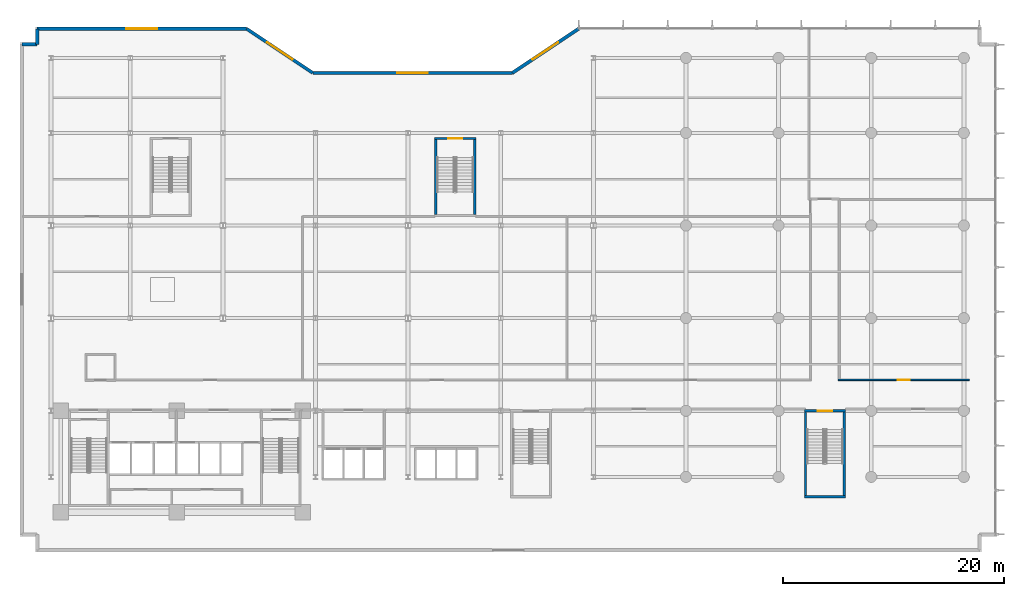
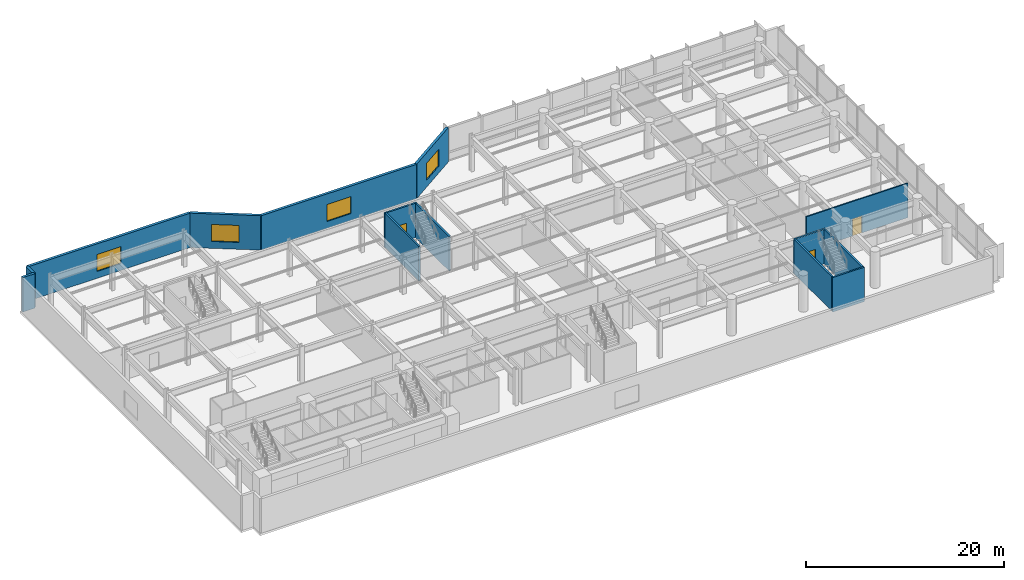
# One storey, part 17 of 26: 14 walls, 4 windows, 3 doors, 7 openings.
"""IFC4 building model written with IfcOpenShell, lengths in metres."""

from ifc_helpers import new_model, si_unit, direction, frame, frame_2d, origin, place, context, subcontext, project, spatial, rectangle, extrude, material, layer, layer_set, type_object, element, fill, save


model = new_model("IFC4")

# Units and contexts
model_context = context("Model", 3, precision=1e-05, world=origin(), true_north=direction((0.0, 1.0)))
body_context = subcontext(model_context, "Body", "Model", "MODEL_VIEW")
ifc_project = project(units=[si_unit("LENGTHUNIT", "METRE"), si_unit("AREAUNIT", "SQUARE_METRE"), si_unit("VOLUMEUNIT", "CUBIC_METRE"), si_unit("PLANEANGLEUNIT", "RADIAN"), si_unit("MASSUNIT", "GRAM", prefix="KILO")], contexts=[model_context])

# Site, building, storey
site_placement = place(None, origin())
site = spatial("IfcSite", under=ifc_project, at=site_placement, CompositionType="ELEMENT")
building_placement = place(site_placement, origin())
building = spatial("IfcBuilding", under=site, at=building_placement, Name="Varnakote Quay Hospital", CompositionType="ELEMENT")
storey_placement = place(building_placement, frame((0.0, 0.0, 13.5)))
storey = spatial("IfcBuildingStorey", under=building, at=storey_placement, Name="L03", CompositionType="ELEMENT", Elevation=13.5)

# Wall, opening, window
ifc_material_1 = material(Name="Precast concrete N50 (f'c 50 MPa)", Category="concrete")
ifc_layer_1 = layer(ifc_material_1, 0.300048828125)
ifc_layer_set_1 = layer_set([ifc_layer_1], Name="Precast concrete N50 (f'c 50 MPa)")
wall_type_1 = type_object("IfcWallType", Name="WL-EXT-BRICK-300", PredefinedType="STANDARD", material=ifc_layer_set_1)
wall_1_placement = place(storey_placement, frame((49.04833984375, 46.639892578125, 0.0), z_axis=(0.0, 0.0, 1.0), x_axis=(-0.832050294338, -0.554700196225, 0.0)))
wall_1 = element("IfcWall", 1, at=wall_1_placement, inside=storey, type_object=wall_type_1, Name="L03 Brick-Faced Precast Exterior Wall", PredefinedType="STANDARD", context=body_context, shape_type="SweptSolid", body=[
    extrude(rectangle(XDim=7.211181640625, YDim=0.300048828125, at=frame_2d((3.60546875, 0.0))), origin(), (0.0, 0.0, 1.0), 4.25),
])
opening_1_placement = place(wall_1_placement, frame((2.20556640625, 0.0, 0.85009765625)))
opening_1 = element("IfcOpeningElement", 2, at=opening_1_placement, cuts=wall_1, Name="Opening WN-0020", PredefinedType="OPENING", context=body_context, shape_type="SweptSolid", body=[
    extrude(rectangle(XDim=2.800048828125, YDim=2.10009765625, at=frame_2d((1.39990234375, 1.050048828125))), frame((0.0, 0.159912109375, 0.0), z_axis=(0.0, -1.0, 0.0), x_axis=(1.0, 0.0, 0.0)), (0.0, 0.0, 1.0), 0.320068359375),
])
ifc_material_2 = material(Name="Double-glazed acoustic laminated glass", Category="glass")
window_type = type_object("IfcWindowType", Name="WIN-POD-2800x2100", PartitioningType="SINGLE_PANEL", PredefinedType="WINDOW", material=ifc_material_2)
window_1_placement = place(opening_1_placement, origin())
window_1 = element("IfcWindow", 3, at=window_1_placement, inside=storey, type_object=window_type, Name="L03 Solar-Control Clinical Window", OverallHeight=2.10009765625, OverallWidth=2.800048828125, PartitioningType="SINGLE_PANEL", PredefinedType="WINDOW", context=body_context, shape_type="SweptSolid", body=[
    extrude(rectangle(XDim=2.800048828125, YDim=2.10009765625, at=frame_2d((1.39990234375, 1.050048828125))), frame((0.0, 0.030029296875, 0.0), z_axis=(0.0, -1.0, 0.0), x_axis=(1.0, 0.0, 0.0)), (0.0, 0.0, 1.0), 0.06005859375),
])
fill(opening_1, window_1)

wall_2_placement = place(storey_placement, frame((43.04833984375, 42.639892578125, 0.0), z_axis=(0.0, 0.0, 1.0), x_axis=(-1.0, 0.0, 0.0)))
wall_2 = element("IfcWall", 4, at=wall_2_placement, inside=storey, type_object=wall_type_1, Name="L03 Brick-Faced Precast Exterior Wall", PredefinedType="STANDARD", context=body_context, shape_type="SweptSolid", body=[
    extrude(rectangle(XDim=18.0966796875, YDim=0.300048828125, at=frame_2d((9.04833984375, 0.0))), origin(), (0.0, 0.0, 1.0), 4.25),
])
opening_2_placement = place(wall_2_placement, frame((7.6484375, 0.0, 0.85009765625)))
opening_2 = element("IfcOpeningElement", 5, at=opening_2_placement, cuts=wall_2, Name="Opening WN-0021", PredefinedType="OPENING", context=body_context, shape_type="SweptSolid", body=[
    extrude(rectangle(XDim=2.800048828125, YDim=2.10009765625, at=frame_2d((1.39990234375, 1.050048828125))), frame((0.0, 0.159912109375, 0.0), z_axis=(0.0, -1.0, 0.0), x_axis=(1.0, 0.0, 0.0)), (0.0, 0.0, 1.0), 0.320068359375),
])
window_2_placement = place(opening_2_placement, origin())
window_2 = element("IfcWindow", 6, at=window_2_placement, inside=storey, type_object=window_type, Name="L03 Solar-Control Clinical Window", OverallHeight=2.10009765625, OverallWidth=2.800048828125, PartitioningType="SINGLE_PANEL", PredefinedType="WINDOW", context=body_context, shape_type="SweptSolid", body=[
    extrude(rectangle(XDim=2.800048828125, YDim=2.10009765625, at=frame_2d((1.39990234375, 1.050048828125))), frame((0.0, 0.030029296875, 0.0), z_axis=(0.0, -1.0, 0.0), x_axis=(1.0, 0.0, 0.0)), (0.0, 0.0, 1.0), 0.06005859375),
])
fill(opening_2, window_2)

wall_3_placement = place(storey_placement, frame((24.95166015625, 42.639892578125, 0.0), z_axis=(0.0, 0.0, 1.0), x_axis=(-0.832050294338, 0.554700196225, 0.0)))
wall_3 = element("IfcWall", 7, at=wall_3_placement, inside=storey, type_object=wall_type_1, Name="L03 Brick-Faced Precast Exterior Wall", PredefinedType="STANDARD", context=body_context, shape_type="SweptSolid", body=[
    extrude(rectangle(XDim=7.211181640625, YDim=0.300048828125, at=frame_2d((3.60546875, 0.0))), origin(), (0.0, 0.0, 1.0), 4.25),
])
opening_3_placement = place(wall_3_placement, frame((2.20556640625, 0.0, 0.85009765625)))
opening_3 = element("IfcOpeningElement", 8, at=opening_3_placement, cuts=wall_3, Name="Opening WN-0022", PredefinedType="OPENING", context=body_context, shape_type="SweptSolid", body=[
    extrude(rectangle(XDim=2.800048828125, YDim=2.10009765625, at=frame_2d((1.39990234375, 1.050048828125))), frame((0.0, 0.159912109375, 0.0), z_axis=(0.0, -1.0, 0.0), x_axis=(1.0, 0.0, 0.0)), (0.0, 0.0, 1.0), 0.320068359375),
])
window_3_placement = place(opening_3_placement, origin())
window_3 = element("IfcWindow", 9, at=window_3_placement, inside=storey, type_object=window_type, Name="L03 Solar-Control Clinical Window", OverallHeight=2.10009765625, OverallWidth=2.800048828125, PartitioningType="SINGLE_PANEL", PredefinedType="WINDOW", context=body_context, shape_type="SweptSolid", body=[
    extrude(rectangle(XDim=2.800048828125, YDim=2.10009765625, at=frame_2d((1.39990234375, 1.050048828125))), frame((0.0, 0.030029296875, 0.0), z_axis=(0.0, -1.0, 0.0), x_axis=(1.0, 0.0, 0.0)), (0.0, 0.0, 1.0), 0.06005859375),
])
fill(opening_3, window_3)

wall_4_placement = place(storey_placement, frame((18.95166015625, 46.639892578125, 0.0), z_axis=(0.0, 0.0, 1.0), x_axis=(-1.0, 0.0, 0.0)))
wall_4 = element("IfcWall", 10, at=wall_4_placement, inside=storey, type_object=wall_type_1, Name="L03 Brick-Faced Precast Exterior Wall", PredefinedType="STANDARD", context=body_context, shape_type="SweptSolid", body=[
    extrude(rectangle(XDim=18.99169921875, YDim=0.300048828125, at=frame_2d((9.495849609375, 0.0))), origin(), (0.0, 0.0, 1.0), 4.25),
])
opening_4_placement = place(wall_4_placement, frame((8.095703125, 0.0, 0.85009765625)))
opening_4 = element("IfcOpeningElement", 11, at=opening_4_placement, cuts=wall_4, Name="Opening WN-0023", PredefinedType="OPENING", context=body_context, shape_type="SweptSolid", body=[
    extrude(rectangle(XDim=2.800048828125, YDim=2.10009765625, at=frame_2d((1.39990234375, 1.050048828125))), frame((0.0, 0.159912109375, 0.0), z_axis=(0.0, -1.0, 0.0), x_axis=(1.0, 0.0, 0.0)), (0.0, 0.0, 1.0), 0.320068359375),
])
window_4_placement = place(opening_4_placement, origin())
window_4 = element("IfcWindow", 12, at=window_4_placement, inside=storey, type_object=window_type, Name="L03 Solar-Control Clinical Window", OverallHeight=2.10009765625, OverallWidth=2.800048828125, PartitioningType="SINGLE_PANEL", PredefinedType="WINDOW", context=body_context, shape_type="SweptSolid", body=[
    extrude(rectangle(XDim=2.800048828125, YDim=2.10009765625, at=frame_2d((1.39990234375, 1.050048828125))), frame((0.0, 0.030029296875, 0.0), z_axis=(0.0, -1.0, 0.0), x_axis=(1.0, 0.0, 0.0)), (0.0, 0.0, 1.0), 0.06005859375),
])
fill(opening_4, window_4)

# Walls
for number, where, z_axis, x_axis, name in (
    (13, (-0.0400390625, 46.639892578125, 0.0), (0.0, 0.0, 1.0), (0.0, -1.0, 0.0), "L03 Brick-Faced Precast Exterior Wall"),
    (14, (-0.0400390625, 45.239990234375, 0.0), (0.0, 0.0, 1.0), (-1.0, 0.0, 0.0), "L03 Brick-Faced Precast Exterior Wall"),
):
    element("IfcWall", number, at=place(storey_placement, frame(where, z_axis=z_axis, x_axis=x_axis)), inside=storey, type_object=wall_type_1, Name=name, PredefinedType="STANDARD", context=body_context, shape_type="SweptSolid", body=[
        extrude(rectangle(XDim=1.39990234375, YDim=0.300048828125, at=frame_2d((0.699951171875, 0.0))), origin(), (0.0, 0.0, 1.0), 4.25),
    ])
ifc_material_3 = material(Name="Concrete N50 (f'c 50 MPa)", Category="concrete")
ifc_layer_2 = layer(ifc_material_3, 0.199951171875)
ifc_layer_set_2 = layer_set([ifc_layer_2], Name="Concrete N50 (f'c 50 MPa)")
wall_type_2 = type_object("IfcWallType", Name="WL-SHAFT-N50-200", PredefinedType="SHEAR", material=ifc_layer_set_2)
wall_5_placement = place(storey_placement, frame((69.550048828125, 4.199951171875, 0.0), z_axis=(0.0, 0.0, 1.0), x_axis=(1.0, 0.0, 0.0)))
element("IfcWall", 15, at=wall_5_placement, inside=storey, type_object=wall_type_2, Name="L03 Stair ST6 South Shaft Wall", PredefinedType="SHEAR", context=body_context, shape_type="SweptSolid", body=[
    extrude(rectangle(XDim=3.699951171875, YDim=0.199951171875, at=frame_2d((1.85009765625, 0.0))), origin(), (0.0, 0.0, 1.0), 4.25),
])
for number, where, z_axis, x_axis, name in (
    (16, (69.64990234375, 4.300048828125, 0.0), (0.0, 0.0, 1.0), (0.0, 1.0, 0.0), "L03 Stair ST6 West Shaft Wall"),
    (17, (73.14990234375, 4.300048828125, 0.0), (0.0, 0.0, 1.0), (0.0, 1.0, 0.0), "L03 Stair ST6 East Shaft Wall"),
):
    element("IfcWall", number, at=place(storey_placement, frame(where, z_axis=z_axis, x_axis=x_axis)), inside=storey, type_object=wall_type_2, Name=name, PredefinedType="SHEAR", context=body_context, shape_type="SweptSolid", body=[
        extrude(rectangle(XDim=7.599853515625, YDim=0.199951171875, at=frame_2d((3.7998046875, 0.0))), origin(), (0.0, 0.0, 1.0), 4.25),
    ])

# Wall, opening, door
wall_6_placement = place(storey_placement, frame((69.550048828125, 12.0, 0.0), z_axis=(0.0, 0.0, 1.0), x_axis=(1.0, 0.0, 0.0)))
wall_6 = element("IfcWall", 18, at=wall_6_placement, inside=storey, type_object=wall_type_2, Name="L03 Stair ST6 Exit Wall", PredefinedType="SHEAR", context=body_context, shape_type="SweptSolid", body=[
    extrude(rectangle(XDim=3.699951171875, YDim=0.199951171875, at=frame_2d((1.85009765625, 0.0))), origin(), (0.0, 0.0, 1.0), 4.25),
])
opening_5_placement = place(wall_6_placement, frame((1.199951171875, 0.0, 0.0)))
opening_5 = element("IfcOpeningElement", 19, at=opening_5_placement, cuts=wall_6, Name="Opening D-ST6-L03", PredefinedType="OPENING", context=body_context, shape_type="SweptSolid", body=[
    extrude(rectangle(XDim=1.300048828125, YDim=2.14990234375, at=frame_2d((0.64990234375, 1.074951171875))), frame((0.0, 0.10986328125, 0.0), z_axis=(0.0, -1.0, 0.0), x_axis=(1.0, 0.0, 0.0)), (0.0, 0.0, 1.0), 0.219970703125),
])
ifc_material_4 = material(Name="Fire-rated ceramic-glazed timber exit door", Category="wood")
door_type_1 = type_object("IfcDoorType", Name="DR-STAIR-FD60S-1300x2150", OperationType="NOTDEFINED", PredefinedType="DOOR", material=ifc_material_4)
door_1_placement = place(opening_5_placement, origin())
door_1 = element("IfcDoor", 20, at=door_1_placement, inside=storey, type_object=door_type_1, Name="L03 Stair ST6 Fire Exit Door", OperationType="SINGLE_SWING_LEFT", OverallHeight=2.14990234375, OverallWidth=1.300048828125, PredefinedType="DOOR", context=body_context, shape_type="SweptSolid", body=[
    extrude(rectangle(XDim=1.300048828125, YDim=2.14990234375, at=frame_2d((0.64990234375, 1.074951171875))), frame((0.0, 0.02490234375, 0.0), z_axis=(0.0, -1.0, 0.0), x_axis=(1.0, 0.0, 0.0)), (0.0, 0.0, 1.0), 0.050048828125),
])
fill(opening_5, door_1)

# Walls
for number, where, z_axis, x_axis, name in (
    (21, (36.10009765625, 29.800048828125, 0.0), (0.0, 0.0, 1.0), (0.0, 1.0, 0.0), "L03 Stair ST5 West Shaft Wall"),
    (22, (39.639892578125, 29.800048828125, 0.0), (0.0, 0.0, 1.0), (0.0, 1.0, 0.0), "L03 Stair ST5 East Shaft Wall"),
):
    element("IfcWall", number, at=place(storey_placement, frame(where, z_axis=z_axis, x_axis=x_axis)), inside=storey, type_object=wall_type_2, Name=name, PredefinedType="SHEAR", context=body_context, shape_type="SweptSolid", body=[
        extrude(rectangle(XDim=6.800048828125, YDim=0.199951171875, at=frame_2d((3.39990234375, 0.0))), origin(), (0.0, 0.0, 1.0), 4.25),
    ])

# Wall, opening, door
wall_7_placement = place(storey_placement, frame((36.0, 36.699951171875, 0.0), z_axis=(0.0, 0.0, 1.0), x_axis=(1.0, 0.0, 0.0)))
wall_7 = element("IfcWall", 23, at=wall_7_placement, inside=storey, type_object=wall_type_2, Name="L03 Stair ST5 Exit Wall", PredefinedType="SHEAR", context=body_context, shape_type="SweptSolid", body=[
    extrude(rectangle(XDim=3.739990234375, YDim=0.199951171875, at=frame_2d((1.8701171875, 0.0))), origin(), (0.0, 0.0, 1.0), 4.25),
])
opening_6_placement = place(wall_7_placement, frame((1.219970703125, 0.0, 0.0)))
opening_6 = element("IfcOpeningElement", 24, at=opening_6_placement, cuts=wall_7, Name="Opening D-ST5-L03", PredefinedType="OPENING", context=body_context, shape_type="SweptSolid", body=[
    extrude(rectangle(XDim=1.300048828125, YDim=2.14990234375, at=frame_2d((0.64990234375, 1.074951171875))), frame((0.0, 0.10986328125, 0.0), z_axis=(0.0, -1.0, 0.0), x_axis=(1.0, 0.0, 0.0)), (0.0, 0.0, 1.0), 0.219970703125),
])
door_2_placement = place(opening_6_placement, origin())
door_2 = element("IfcDoor", 25, at=door_2_placement, inside=storey, type_object=door_type_1, Name="L03 Stair ST5 Fire Exit Door", OperationType="SINGLE_SWING_LEFT", OverallHeight=2.14990234375, OverallWidth=1.300048828125, PredefinedType="DOOR", context=body_context, shape_type="SweptSolid", body=[
    extrude(rectangle(XDim=1.300048828125, YDim=2.14990234375, at=frame_2d((0.64990234375, 1.074951171875))), frame((0.0, 0.02490234375, 0.0), z_axis=(0.0, -1.0, 0.0), x_axis=(1.0, 0.0, 0.0)), (0.0, 0.0, 1.0), 0.050048828125),
])
fill(opening_6, door_2)

ifc_material_5 = material(Name="Fire-rated clinical gypsum partition", Category="gypsum")
ifc_layer_3 = layer(ifc_material_5, 0.14990234375)
ifc_layer_set_3 = layer_set([ifc_layer_3], Name="Fire-rated clinical gypsum partition")
wall_type_3 = type_object("IfcWallType", Name="WL-WARD-150", PredefinedType="PARTITIONING", material=ifc_layer_set_3)
wall_8_placement = place(storey_placement, frame((84.5, 14.800048828125, 0.0), z_axis=(0.0, 0.0, 1.0), x_axis=(-1.0, 0.0, 0.0)))
wall_8 = element("IfcWall", 26, at=wall_8_placement, inside=storey, type_object=wall_type_3, Name="L03 Clinical Interior Partition", PredefinedType="PARTITIONING", context=body_context, shape_type="SweptSolid", body=[
    extrude(rectangle(XDim=11.89794921875, YDim=0.14990234375, at=frame_2d((5.948974609375, 0.0))), origin(), (0.0, 0.0, 1.0), 4.25),
])
opening_7_placement = place(wall_8_placement, frame((5.39892578125, 0.0, 0.0)))
opening_7 = element("IfcOpeningElement", 27, at=opening_7_placement, cuts=wall_8, Name="Opening D-L03-EONC", PredefinedType="OPENING", context=body_context, shape_type="SweptSolid", body=[
    extrude(rectangle(XDim=1.10009765625, YDim=2.10009765625, at=frame_2d((0.550048828125, 1.050048828125))), frame((0.0, 0.0849609375, 0.0), z_axis=(0.0, -1.0, 0.0), x_axis=(1.0, 0.0, 0.0)), (0.0, 0.0, 1.0), 0.169921875),
])
ifc_material_6 = material(Name="Acoustic timber clinical consult door", Category="wood")
door_type_2 = type_object("IfcDoorType", Name="DR-CLIN-FD30S-1100x2100", OperationType="NOTDEFINED", PredefinedType="DOOR", material=ifc_material_6)
door_3_placement = place(opening_7_placement, origin())
door_3 = element("IfcDoor", 28, at=door_3_placement, inside=storey, type_object=door_type_2, Name="L03 Outpatient Oncology Chemotherapy Treatment Ward Door", OperationType="SINGLE_SWING_LEFT", OverallHeight=2.10009765625, OverallWidth=1.10009765625, PredefinedType="DOOR", context=body_context, shape_type="SweptSolid", body=[
    extrude(rectangle(XDim=1.10009765625, YDim=2.10009765625, at=frame_2d((0.550048828125, 1.050048828125))), frame((0.0, 0.02490234375, 0.0), z_axis=(0.0, -1.0, 0.0), x_axis=(1.0, 0.0, 0.0)), (0.0, 0.0, 1.0), 0.050048828125),
])
fill(opening_7, door_3)

save(model, "model.ifc")
